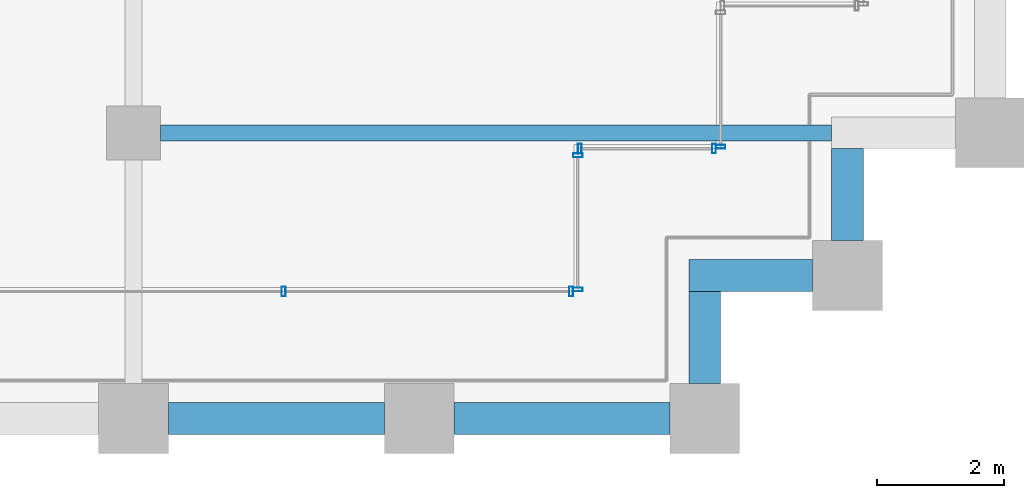
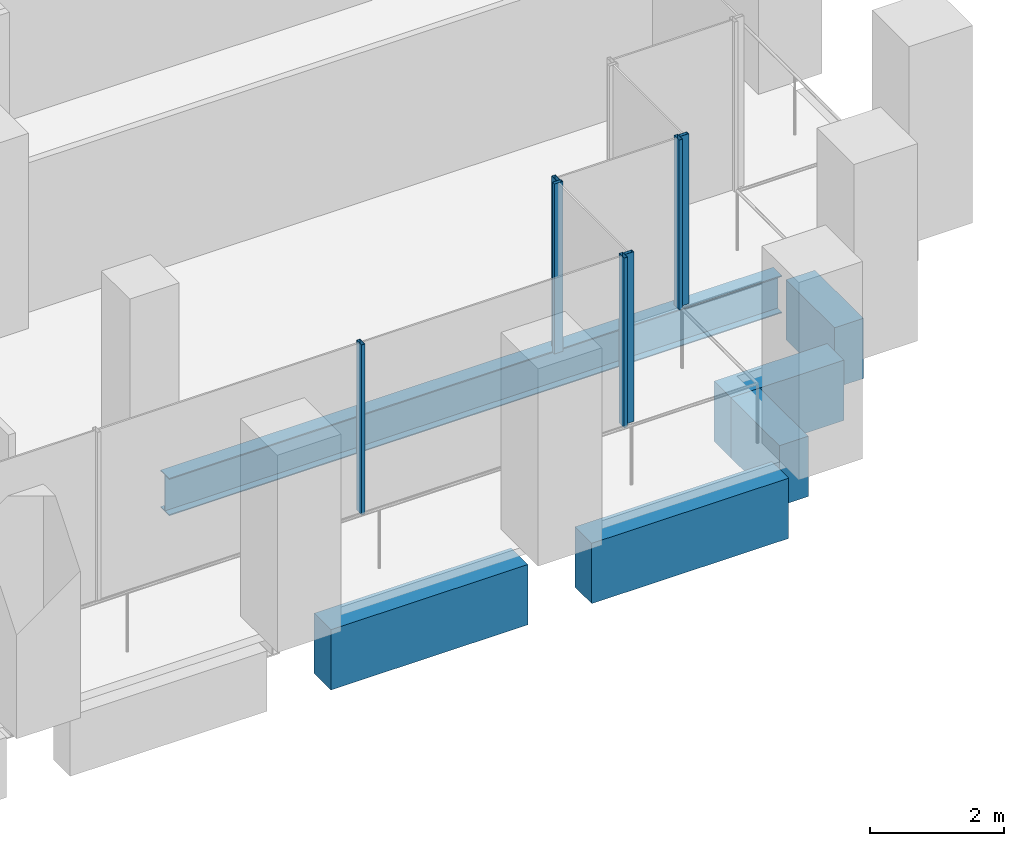
# One storey, part 15 of 56: 7 members, 6 beams, 4 elements without a shape of their own.
"""IFC4 building model written with IfcOpenShell, lengths in metres."""

from ifc_helpers import new_model, si_unit, direction, frame, origin, origin_2d, place, context, subcontext, project, spatial, rectangle, hollow_rectangle, i_section, extrude, material, material_profile, profile_set, type_object, element, aggregate, save


model = new_model("IFC4")

# Units and contexts
model_context = context("Model", 3, precision=1e-05, world=origin(), true_north=direction((0.0, 1.0)))
body_context = subcontext(model_context, "Body", "Model", "MODEL_VIEW")
ifc_project = project(units=[si_unit("LENGTHUNIT", "METRE"), si_unit("AREAUNIT", "SQUARE_METRE"), si_unit("VOLUMEUNIT", "CUBIC_METRE"), si_unit("PLANEANGLEUNIT", "RADIAN"), si_unit("MASSUNIT", "GRAM", prefix="KILO")], contexts=[model_context])

# Site, building, storey
site_placement = place(None, origin())
site = spatial("IfcSite", under=ifc_project, at=site_placement, CompositionType="ELEMENT")
building_placement = place(site_placement, origin())
building = spatial("IfcBuilding", under=site, at=building_placement, Name="Altepetl Exchange Towers", CompositionType="ELEMENT")
storey_placement = place(building_placement, frame((0.0, 0.0, 76.199951171875)))
storey = spatial("IfcBuildingStorey", under=building, at=storey_placement, Name="L18", CompositionType="ELEMENT", Elevation=76.199951171875)

# Beam
ifc_material_1 = material(Name="Steel S355", Category="steel")
ifc_material_profile_1 = material_profile(ifc_material_1, i_section(OverallWidth=0.25390625, OverallDepth=0.68408203125, WebThickness=0.012451171875, FlangeThickness=0.018798828125, at=origin_2d()), Name="W27X94")
ifc_profile_set_1 = profile_set([ifc_material_profile_1], Name="Steel S355")
beam_type_1 = type_object("IfcBeamType", Name="Floor beam W27X94", PredefinedType="BEAM", material=ifc_profile_set_1)
beam_1_placement = place(storey_placement, frame((58.925048828125, 31.5, -0.491943359375), z_axis=(1.0, 0.0, 0.0), x_axis=(0.0, 1.0, 0.0)))
element("IfcBeam", 1, at=beam_1_placement, inside=storey, type_object=beam_type_1, Name="bm:A:L18:006", PredefinedType="BEAM", context=body_context, shape_type="SweptSolid", body=[
    extrude(i_section(OverallWidth=0.25390625, OverallDepth=0.68408203125, WebThickness=0.012451171875, FlangeThickness=0.018798828125, at=origin_2d()), origin(), (0.0, 0.0, 1.0), 10.574951171875),
])

# Curtain wall, members
ifc_material_2 = material(Name="Aluminium 6063-T6 glazing", Category="aluminium")
curtain_wall_type = type_object("IfcCurtainWallType", Name="Loggia glazing system", PredefinedType="NOTDEFINED", material=ifc_material_2)
curtain_wall_1_placement = place(storey_placement, origin())
curtain_wall_1 = element("IfcCurtainWall", 2, at=curtain_wall_1_placement, inside=storey, type_object=curtain_wall_type, Name="CW1 run", PredefinedType="NOTDEFINED")
ifc_material_3 = material(Name="Aluminium 6063-T6", Category="aluminium")
ifc_material_profile_2 = material_profile(ifc_material_3, hollow_rectangle(XDim=0.06005859375, YDim=0.14990234375, WallThickness=0.0029296875, at=origin_2d()), Name="Mullion 60x150 aluminium")
ifc_profile_set_2 = profile_set([ifc_material_profile_2], Name="Aluminium 6063-T6")
member_type = type_object("IfcMemberType", Name="Mullion 60x150 aluminium", PredefinedType="MULLION", material=ifc_profile_set_2)
member_1_placement = place(storey_placement, frame((60.8642578125, 29.0, 0.0)))
member_1 = element("IfcMember", 3, at=member_1_placement, type_object=member_type, Name="MU1 mullion", PredefinedType="MULLION", context=body_context, shape_type="SweptSolid", body=[
    extrude(hollow_rectangle(XDim=0.06005859375, YDim=0.14990234375, WallThickness=0.0029296875, at=origin_2d()), origin(), (0.0, 0.0, 1.0), 3.10009765625),
])
member_2_placement = place(storey_placement, frame((65.39501953125, 29.0, 0.0)))
member_2 = element("IfcMember", 4, at=member_2_placement, type_object=member_type, Name="MU1 mullion", PredefinedType="MULLION", context=body_context, shape_type="SweptSolid", body=[
    extrude(hollow_rectangle(XDim=0.06005859375, YDim=0.14990234375, WallThickness=0.0029296875, at=origin_2d()), origin(), (0.0, 0.0, 1.0), 3.10009765625),
])
aggregate(curtain_wall_1, [member_1, member_2])

curtain_wall_2_placement = place(storey_placement, origin())
curtain_wall_2 = element("IfcCurtainWall", 5, at=curtain_wall_2_placement, inside=storey, type_object=curtain_wall_type, Name="CW1 run", PredefinedType="NOTDEFINED")
member_3_placement = place(storey_placement, frame((65.5, 29.030029296875, 0.0), z_axis=(0.0, 0.0, 1.0), x_axis=(0.0, 1.0, 0.0)))
member_3 = element("IfcMember", 6, at=member_3_placement, type_object=member_type, Name="MU1 mullion", PredefinedType="MULLION", context=body_context, shape_type="SweptSolid", body=[
    extrude(hollow_rectangle(XDim=0.06005859375, YDim=0.14990234375, WallThickness=0.0029296875, at=origin_2d()), origin(), (0.0, 0.0, 1.0), 3.10009765625),
])
member_4_placement = place(storey_placement, frame((65.5, 31.14501953125, 0.0), z_axis=(0.0, 0.0, 1.0), x_axis=(0.0, 1.0, 0.0)))
member_4 = element("IfcMember", 7, at=member_4_placement, type_object=member_type, Name="MU1 mullion", PredefinedType="MULLION", context=body_context, shape_type="SweptSolid", body=[
    extrude(hollow_rectangle(XDim=0.06005859375, YDim=0.14990234375, WallThickness=0.0029296875, at=origin_2d()), origin(), (0.0, 0.0, 1.0), 3.10009765625),
])
aggregate(curtain_wall_2, [member_3, member_4])

curtain_wall_3_placement = place(storey_placement, origin())
curtain_wall_3 = element("IfcCurtainWall", 8, at=curtain_wall_3_placement, inside=storey, type_object=curtain_wall_type, Name="CW1 run", PredefinedType="NOTDEFINED")
member_5_placement = place(storey_placement, frame((65.530029296875, 31.25, 0.0)))
member_5 = element("IfcMember", 9, at=member_5_placement, type_object=member_type, Name="MU1 mullion", PredefinedType="MULLION", context=body_context, shape_type="SweptSolid", body=[
    extrude(hollow_rectangle(XDim=0.06005859375, YDim=0.14990234375, WallThickness=0.0029296875, at=origin_2d()), origin(), (0.0, 0.0, 1.0), 3.10009765625),
])
member_6_placement = place(storey_placement, frame((67.64501953125, 31.25, 0.0)))
member_6 = element("IfcMember", 10, at=member_6_placement, type_object=member_type, Name="MU1 mullion", PredefinedType="MULLION", context=body_context, shape_type="SweptSolid", body=[
    extrude(hollow_rectangle(XDim=0.06005859375, YDim=0.14990234375, WallThickness=0.0029296875, at=origin_2d()), origin(), (0.0, 0.0, 1.0), 3.10009765625),
])
aggregate(curtain_wall_3, [member_5, member_6])

# Curtain wall, member
curtain_wall_4_placement = place(storey_placement, origin())
curtain_wall_4 = element("IfcCurtainWall", 11, at=curtain_wall_4_placement, inside=storey, type_object=curtain_wall_type, Name="CW1 run", PredefinedType="NOTDEFINED")
member_7_placement = place(storey_placement, frame((67.75, 31.280029296875, 0.0), z_axis=(0.0, 0.0, 1.0), x_axis=(0.0, 1.0, 0.0)))
member_7 = element("IfcMember", 12, at=member_7_placement, type_object=member_type, Name="MU1 mullion", PredefinedType="MULLION", context=body_context, shape_type="SweptSolid", body=[
    extrude(hollow_rectangle(XDim=0.06005859375, YDim=0.14990234375, WallThickness=0.0029296875, at=origin_2d()), origin(), (0.0, 0.0, 1.0), 3.10009765625),
])
aggregate(curtain_wall_4, [member_7])

# Beams
ifc_material_4 = material(Name="Concrete C50/60 precast with cantera amarilla facing", Category="concrete")
ifc_material_profile_3 = material_profile(ifc_material_4, rectangle(XDim=0.5, YDim=1.10009765625, at=origin_2d()), Name="500 x 1100")
ifc_profile_set_3 = profile_set([ifc_material_profile_3], Name="Concrete C50/60 precast with cantera amarilla facing")
beam_type_2 = type_object("IfcBeamType", Name="Spandrel beam 500x1100 cantera amarilla", PredefinedType="SPANDREL", material=ifc_profile_set_3)
for number, where, z_axis, x_axis, name in (
    (13, (59.050048828125, 27.0, -0.699951171875), (1.0, 0.0, 0.0), (0.0, 1.0, 0.0), "sp:A:L18:006"),
    (14, (63.550048828125, 27.0, -0.699951171875), (1.0, 0.0, 0.0), (0.0, 1.0, 0.0), "sp:A:L18:007"),
):
    element("IfcBeam", number, at=place(storey_placement, frame(where, z_axis=z_axis, x_axis=x_axis)), inside=storey, type_object=beam_type_2, Name=name, PredefinedType="SPANDREL", context=body_context, shape_type="SweptSolid", body=[
        extrude(rectangle(XDim=0.5, YDim=1.10009765625, at=origin_2d()), origin(), (0.0, 0.0, 1.0), 3.39990234375),
    ])
beam_2_placement = place(storey_placement, frame((67.5, 27.550048828125, -0.699951171875), z_axis=(0.0, 1.0, 0.0), x_axis=(-1.0, 0.0, 0.0)))
element("IfcBeam", 15, at=beam_2_placement, inside=storey, type_object=beam_type_2, Name="sp:A:L18:008", PredefinedType="SPANDREL", context=body_context, shape_type="SweptSolid", body=[
    extrude(rectangle(XDim=0.5, YDim=1.10009765625, at=origin_2d()), origin(), (0.0, 0.0, 1.0), 1.449951171875),
])
beam_3_placement = place(storey_placement, frame((67.25, 29.25, -0.699951171875), z_axis=(1.0, 0.0, 0.0), x_axis=(0.0, 1.0, 0.0)))
element("IfcBeam", 16, at=beam_3_placement, inside=storey, type_object=beam_type_2, Name="sp:A:L18:009", PredefinedType="SPANDREL", context=body_context, shape_type="SweptSolid", body=[
    extrude(rectangle(XDim=0.5, YDim=1.10009765625, at=origin_2d()), origin(), (0.0, 0.0, 1.0), 1.949951171875),
])
beam_4_placement = place(storey_placement, frame((69.75, 29.800048828125, -0.699951171875), z_axis=(0.0, 1.0, 0.0), x_axis=(-1.0, 0.0, 0.0)))
element("IfcBeam", 17, at=beam_4_placement, inside=storey, type_object=beam_type_2, Name="sp:A:L18:010", PredefinedType="SPANDREL", context=body_context, shape_type="SweptSolid", body=[
    extrude(rectangle(XDim=0.5, YDim=1.10009765625, at=origin_2d()), origin(), (0.0, 0.0, 1.0), 1.449951171875),
])

save(model, "model.ifc")
